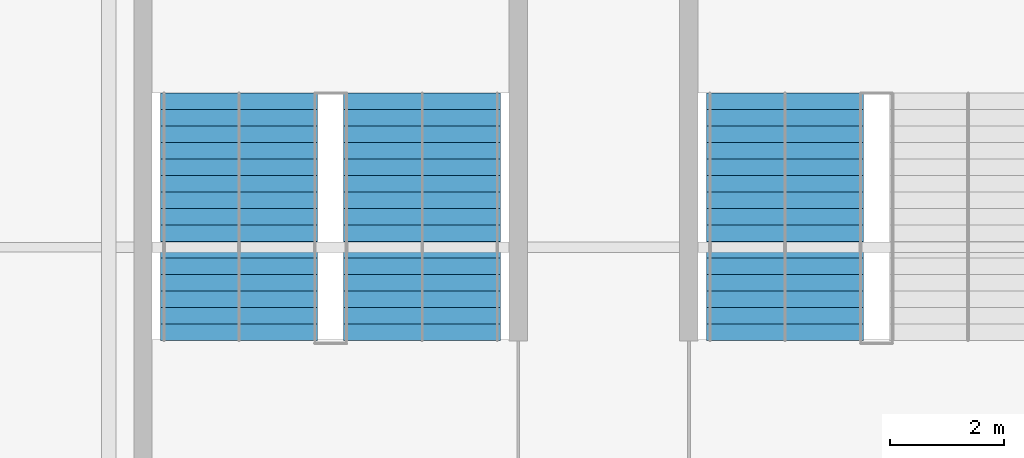
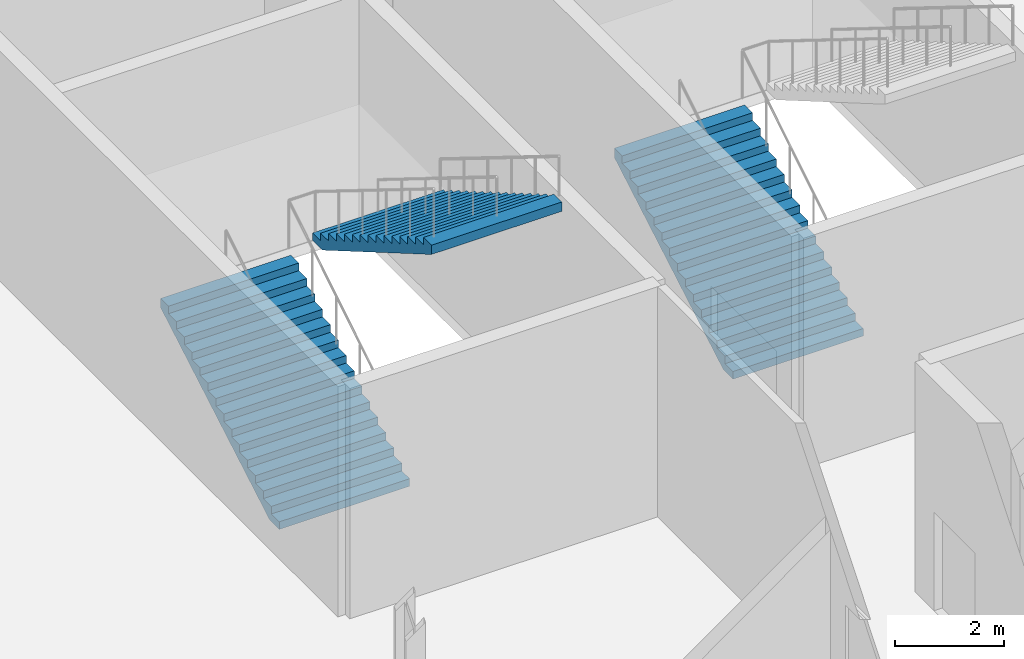
# One storey, part 90 of 113: 3 stair flights, 2 elements without a shape of their own.
"""IFC4 building model written with IfcOpenShell, lengths in metres."""

from ifc_helpers import new_model, si_unit, direction, frame, origin, place, context, subcontext, project, spatial, polygons, material, type_object, element, aggregate, save


model = new_model("IFC4")

# Units and contexts
model_context = context("Model", 3, precision=1e-05, world=origin(), true_north=direction((0.0, 1.0)))
body_context = subcontext(model_context, "Body", "Model", "MODEL_VIEW")
ifc_project = project(units=[si_unit("LENGTHUNIT", "METRE"), si_unit("AREAUNIT", "SQUARE_METRE"), si_unit("VOLUMEUNIT", "CUBIC_METRE"), si_unit("PLANEANGLEUNIT", "RADIAN"), si_unit("MASSUNIT", "GRAM", prefix="KILO")], contexts=[model_context])

# Site, building, storey
site_placement = place(None, origin())
site = spatial("IfcSite", under=ifc_project, at=site_placement, CompositionType="ELEMENT")
building_placement = place(site_placement, origin())
building = spatial("IfcBuilding", under=site, at=building_placement, Name="Kisiwana Market Hall", CompositionType="ELEMENT")
storey_placement = place(building_placement, frame((0.0, 0.0, 6.0)))
storey = spatial("IfcBuildingStorey", under=building, at=storey_placement, Name="L01", CompositionType="ELEMENT", Elevation=6.0)

# Stair, stair flight
ifc_material_1 = material(Name="Concrete C32/40", Category="concrete")
stair_type = type_object("IfcStairType", Name="ST-ESC-5400", PredefinedType="TWO_STRAIGHT_RUN_STAIR", material=ifc_material_1)
stair_1_placement = place(storey_placement, origin())
stair_1 = element("IfcStair", 1, at=stair_1_placement, inside=storey, type_object=stair_type, Name="Escape stair ST-E3-L01", PredefinedType="TWO_STRAIGHT_RUN_STAIR")
ifc_material_2 = material(Name="Concrete C32/40", Category="concrete")
stair_flight_type = type_object("IfcStairFlightType", Name="SF-ESC-5400", PredefinedType="STRAIGHT", material=ifc_material_2)
stair_flight_1_placement = place(storey_placement, frame((182.889892578125, 42.360107421875, 0.0), z_axis=(0.0, 0.0, 1.0), x_axis=(0.0, 1.0, 0.0)))
stair_flight_1 = element("IfcStairFlight", 2, at=stair_flight_1_placement, type_object=stair_flight_type, Name="ST-E3-L01 flight 1", NumberOfRisers=16, NumberOfTreads=15, PredefinedType="STRAIGHT", RiserHeight=0.16875, TreadLength=0.29, context=body_context, shape_type="Tessellation", body=[
    polygons([(0.0, -1.380127, 0.0), (0.0, -0.690125, 0.0), (0.0, -0.000122, 0.0), (0.0, 0.68988, 0.0), (0.0, 1.379883, 0.0), (0.0, -1.380127, 0.168701), (0.0, -0.690125, 0.168701), (0.0, -0.000122, 0.168701), (0.0, 0.68988, 0.168701), (0.0, 1.379883, 0.168701), (0.290039, -1.380127, 0.168701), (0.290039, -0.690125, 0.168701), (0.290039, -0.000122, 0.168701), (0.290039, 0.68988, 0.168701), (0.290039, 1.379883, 0.168701), (0.290039, -1.380127, 0.337402), (0.290039, -0.690125, 0.337402), (0.290039, -0.000122, 0.337402), (0.290039, 0.68988, 0.337402), (0.290039, 1.379883, 0.337402), (0.580078, -1.380127, 0.337402), (0.580078, -0.690125, 0.337402), (0.580078, -0.000122, 0.337402), (0.580078, 0.68988, 0.337402), (0.580078, 1.379883, 0.337402), (0.580078, -1.380127, 0.506348), (0.580078, -0.690125, 0.506348), (0.580078, -0.000122, 0.506348), (0.580078, 0.68988, 0.506348), (0.580078, 1.379883, 0.506348), (0.870117, -1.380127, 0.506348), (0.870117, -0.690125, 0.506348), (0.870117, -0.000122, 0.506348), (0.870117, 0.68988, 0.506348), (0.870117, 1.379883, 0.506348), (0.870117, -1.380127, 0.675049), (0.870117, -0.690125, 0.675049), (0.870117, -0.000122, 0.675049), (0.870117, 0.68988, 0.675049), (0.870117, 1.379883, 0.675049), (1.159912, -1.380127, 0.675049), (1.159912, -0.690125, 0.675049), (1.159912, -0.000122, 0.675049), (1.159912, 0.68988, 0.675049), (1.159912, 1.379883, 0.675049), (1.159912, -1.380127, 0.84375), (1.159912, -0.690125, 0.84375), (1.159912, -0.000122, 0.84375), (1.159912, 0.68988, 0.84375), (1.159912, 1.379883, 0.84375), (1.449951, -1.380127, 0.84375), (1.449951, -0.690125, 0.84375), (1.449951, -0.000122, 0.84375), (1.449951, 0.68988, 0.84375), (1.449951, 1.379883, 0.84375), (1.449951, -1.380127, 1.012451), (1.449951, -0.690125, 1.012451), (1.449951, -0.000122, 1.012451), (1.449951, 0.68988, 1.012451), (1.449951, 1.379883, 1.012451), (1.73999, -1.380127, 1.012451), (1.73999, -0.690125, 1.012451), (1.73999, -0.000122, 1.012451), (1.73999, 0.68988, 1.012451), (1.73999, 1.379883, 1.012451), (1.73999, -1.380127, 1.181152), (1.73999, -0.690125, 1.181152), (1.73999, -0.000122, 1.181152), (1.73999, 0.68988, 1.181152), (1.73999, 1.379883, 1.181152), (2.030029, -1.380127, 1.181152), (2.030029, -0.690125, 1.181152), (2.030029, -0.000122, 1.181152), (2.030029, 0.68988, 1.181152), (2.030029, 1.379883, 1.181152), (2.030029, -1.380127, 1.350098), (2.030029, -0.690125, 1.350098), (2.030029, -0.000122, 1.350098), (2.030029, 0.68988, 1.350098), (2.030029, 1.379883, 1.350098), (2.320068, -1.380127, 1.350098), (2.320068, -0.690125, 1.350098), (2.320068, -0.000122, 1.350098), (2.320068, 0.68988, 1.350098), (2.320068, 1.379883, 1.350098), (2.320068, -1.380127, 1.518799), (2.320068, -0.690125, 1.518799), (2.320068, -0.000122, 1.518799), (2.320068, 0.68988, 1.518799), (2.320068, 1.379883, 1.518799), (2.610107, -1.380127, 1.518799), (2.610107, -0.690125, 1.518799), (2.610107, -0.000122, 1.518799), (2.610107, 0.68988, 1.518799), (2.610107, 1.379883, 1.518799), (2.610107, -1.380127, 1.6875), (2.610107, -0.690125, 1.6875), (2.610107, -0.000122, 1.6875), (2.610107, 0.68988, 1.6875), (2.610107, 1.379883, 1.6875), (2.899902, -1.380127, 1.6875), (2.899902, -0.690125, 1.6875), (2.899902, -0.000122, 1.6875), (2.899902, 0.68988, 1.6875), (2.899902, 1.379883, 1.6875), (2.899902, -1.380127, 1.856201), (2.899902, -0.690125, 1.856201), (2.899902, -0.000122, 1.856201), (2.899902, 0.68988, 1.856201), (2.899902, 1.379883, 1.856201), (3.189941, -1.380127, 1.856201), (3.189941, -0.690125, 1.856201), (3.189941, -0.000122, 1.856201), (3.189941, 0.68988, 1.856201), (3.189941, 1.379883, 1.856201), (3.189941, -1.380127, 2.024902), (3.189941, -0.690125, 2.024902), (3.189941, -0.000122, 2.024902), (3.189941, 0.68988, 2.024902), (3.189941, 1.379883, 2.024902), (3.47998, -1.380127, 2.024902), (3.47998, -0.690125, 2.024902), (3.47998, -0.000122, 2.024902), (3.47998, 0.68988, 2.024902), (3.47998, 1.379883, 2.024902), (3.47998, -1.380127, 2.193848), (3.47998, -0.690125, 2.193848), (3.47998, -0.000122, 2.193848), (3.47998, 0.68988, 2.193848), (3.47998, 1.379883, 2.193848), (3.77002, -1.380127, 2.193848), (3.77002, -0.690125, 2.193848), (3.77002, -0.000122, 2.193848), (3.77002, 0.68988, 2.193848), (3.77002, 1.379883, 2.193848), (3.77002, -1.380127, 2.362549), (3.77002, -0.690125, 2.362549), (3.77002, -0.000122, 2.362549), (3.77002, 0.68988, 2.362549), (3.77002, 1.379883, 2.362549), (4.060059, -1.380127, 2.362549), (4.060059, -0.690125, 2.362549), (4.060059, -0.000122, 2.362549), (4.060059, 0.68988, 2.362549), (4.060059, 1.379883, 2.362549), (4.060059, -1.380127, 2.53125), (4.060059, -0.690125, 2.53125), (4.060059, -0.000122, 2.53125), (4.060059, 0.68988, 2.53125), (4.060059, 1.379883, 2.53125), (4.350098, -1.380127, 2.53125), (4.350098, -0.690125, 2.53125), (4.350098, -0.000122, 2.53125), (4.350098, 0.68988, 2.53125), (4.350098, 1.379883, 2.53125), (4.350098, -1.380127, 2.322998), (4.350098, -0.690125, 2.322998), (4.350098, -0.000122, 2.322998), (4.350098, 0.68988, 2.322998), (4.350098, 1.379883, 2.322998), (0.357666, -1.380127, 0.0), (0.357666, -0.690125, 0.0), (0.357666, -0.000122, 0.0), (0.357666, 0.68988, 0.0), (0.357666, 1.379883, 0.0)], [[[1, 6, 7, 2]], [[2, 7, 8, 3]], [[3, 8, 9, 4]], [[4, 9, 10, 5]], [[6, 11, 12, 7]], [[7, 12, 13, 8]], [[8, 13, 14, 9]], [[9, 14, 15, 10]], [[11, 16, 17, 12]], [[12, 17, 18, 13]], [[13, 18, 19, 14]], [[14, 19, 20, 15]], [[16, 21, 22, 17]], [[17, 22, 23, 18]], [[18, 23, 24, 19]], [[19, 24, 25, 20]], [[21, 26, 27, 22]], [[22, 27, 28, 23]], [[23, 28, 29, 24]], [[24, 29, 30, 25]], [[26, 31, 32, 27]], [[27, 32, 33, 28]], [[28, 33, 34, 29]], [[29, 34, 35, 30]], [[31, 36, 37, 32]], [[32, 37, 38, 33]], [[33, 38, 39, 34]], [[34, 39, 40, 35]], [[36, 41, 42, 37]], [[37, 42, 43, 38]], [[38, 43, 44, 39]], [[39, 44, 45, 40]], [[41, 46, 47, 42]], [[42, 47, 48, 43]], [[43, 48, 49, 44]], [[44, 49, 50, 45]], [[46, 51, 52, 47]], [[47, 52, 53, 48]], [[48, 53, 54, 49]], [[49, 54, 55, 50]], [[51, 56, 57, 52]], [[52, 57, 58, 53]], [[53, 58, 59, 54]], [[54, 59, 60, 55]], [[56, 61, 62, 57]], [[57, 62, 63, 58]], [[58, 63, 64, 59]], [[59, 64, 65, 60]], [[61, 66, 67, 62]], [[62, 67, 68, 63]], [[63, 68, 69, 64]], [[64, 69, 70, 65]], [[66, 71, 72, 67]], [[67, 72, 73, 68]], [[68, 73, 74, 69]], [[69, 74, 75, 70]], [[71, 76, 77, 72]], [[72, 77, 78, 73]], [[73, 78, 79, 74]], [[74, 79, 80, 75]], [[76, 81, 82, 77]], [[77, 82, 83, 78]], [[78, 83, 84, 79]], [[79, 84, 85, 80]], [[81, 86, 87, 82]], [[82, 87, 88, 83]], [[83, 88, 89, 84]], [[84, 89, 90, 85]], [[86, 91, 92, 87]], [[87, 92, 93, 88]], [[88, 93, 94, 89]], [[89, 94, 95, 90]], [[91, 96, 97, 92]], [[92, 97, 98, 93]], [[93, 98, 99, 94]], [[94, 99, 100, 95]], [[96, 101, 102, 97]], [[97, 102, 103, 98]], [[98, 103, 104, 99]], [[99, 104, 105, 100]], [[101, 106, 107, 102]], [[102, 107, 108, 103]], [[103, 108, 109, 104]], [[104, 109, 110, 105]], [[106, 111, 112, 107]], [[107, 112, 113, 108]], [[108, 113, 114, 109]], [[109, 114, 115, 110]], [[111, 116, 117, 112]], [[112, 117, 118, 113]], [[113, 118, 119, 114]], [[114, 119, 120, 115]], [[116, 121, 122, 117]], [[117, 122, 123, 118]], [[118, 123, 124, 119]], [[119, 124, 125, 120]], [[121, 126, 127, 122]], [[122, 127, 128, 123]], [[123, 128, 129, 124]], [[124, 129, 130, 125]], [[126, 131, 132, 127]], [[127, 132, 133, 128]], [[128, 133, 134, 129]], [[129, 134, 135, 130]], [[131, 136, 137, 132]], [[132, 137, 138, 133]], [[133, 138, 139, 134]], [[134, 139, 140, 135]], [[136, 141, 142, 137]], [[137, 142, 143, 138]], [[138, 143, 144, 139]], [[139, 144, 145, 140]], [[141, 146, 147, 142]], [[142, 147, 148, 143]], [[143, 148, 149, 144]], [[144, 149, 150, 145]], [[146, 151, 152, 147]], [[147, 152, 153, 148]], [[148, 153, 154, 149]], [[149, 154, 155, 150]], [[151, 156, 157, 152]], [[152, 157, 158, 153]], [[153, 158, 159, 154]], [[154, 159, 160, 155]], [[156, 161, 162, 157]], [[157, 162, 163, 158]], [[158, 163, 164, 159]], [[159, 164, 165, 160]], [[161, 1, 2, 162]], [[162, 2, 3, 163]], [[163, 3, 4, 164]], [[164, 4, 5, 165]], [[161, 156, 151, 146, 141, 136, 131, 126, 121, 116, 111, 106, 101, 96, 91, 86, 81, 76, 71, 66, 61, 56, 51, 46, 41, 36, 31, 26, 21, 16, 11, 6, 1]], [[5, 10, 15, 20, 25, 30, 35, 40, 45, 50, 55, 60, 65, 70, 75, 80, 85, 90, 95, 100, 105, 110, 115, 120, 125, 130, 135, 140, 145, 150, 155, 160, 165]]], closed=True),
])
aggregate(stair_1, [stair_flight_1])

# Stair, stair flights
stair_2_placement = place(storey_placement, origin())
stair_2 = element("IfcStair", 3, at=stair_2_placement, inside=storey, type_object=stair_type, Name="Escape stair ST-E7-L01", PredefinedType="TWO_STRAIGHT_RUN_STAIR")
stair_flight_2_placement = place(storey_placement, frame((173.2900390625, 42.360107421875, 0.0), z_axis=(0.0, 0.0, 1.0), x_axis=(0.0, 1.0, 0.0)))
stair_flight_2 = element("IfcStairFlight", 4, at=stair_flight_2_placement, type_object=stair_flight_type, Name="ST-E7-L01 flight 1", NumberOfRisers=16, NumberOfTreads=15, PredefinedType="STRAIGHT", RiserHeight=0.16875, TreadLength=0.29, context=body_context, shape_type="Tessellation", body=[
    polygons([(0.0, -1.380127, 0.0), (0.0, -0.690125, 0.0), (0.0, -0.000122, 0.0), (0.0, 0.68988, 0.0), (0.0, 1.379883, 0.0), (0.0, -1.380127, 0.168701), (0.0, -0.690125, 0.168701), (0.0, -0.000122, 0.168701), (0.0, 0.68988, 0.168701), (0.0, 1.379883, 0.168701), (0.290039, -1.380127, 0.168701), (0.290039, -0.690125, 0.168701), (0.290039, -0.000122, 0.168701), (0.290039, 0.68988, 0.168701), (0.290039, 1.379883, 0.168701), (0.290039, -1.380127, 0.337402), (0.290039, -0.690125, 0.337402), (0.290039, -0.000122, 0.337402), (0.290039, 0.68988, 0.337402), (0.290039, 1.379883, 0.337402), (0.580078, -1.380127, 0.337402), (0.580078, -0.690125, 0.337402), (0.580078, -0.000122, 0.337402), (0.580078, 0.68988, 0.337402), (0.580078, 1.379883, 0.337402), (0.580078, -1.380127, 0.506348), (0.580078, -0.690125, 0.506348), (0.580078, -0.000122, 0.506348), (0.580078, 0.68988, 0.506348), (0.580078, 1.379883, 0.506348), (0.870117, -1.380127, 0.506348), (0.870117, -0.690125, 0.506348), (0.870117, -0.000122, 0.506348), (0.870117, 0.68988, 0.506348), (0.870117, 1.379883, 0.506348), (0.870117, -1.380127, 0.675049), (0.870117, -0.690125, 0.675049), (0.870117, -0.000122, 0.675049), (0.870117, 0.68988, 0.675049), (0.870117, 1.379883, 0.675049), (1.159912, -1.380127, 0.675049), (1.159912, -0.690125, 0.675049), (1.159912, -0.000122, 0.675049), (1.159912, 0.68988, 0.675049), (1.159912, 1.379883, 0.675049), (1.159912, -1.380127, 0.84375), (1.159912, -0.690125, 0.84375), (1.159912, -0.000122, 0.84375), (1.159912, 0.68988, 0.84375), (1.159912, 1.379883, 0.84375), (1.449951, -1.380127, 0.84375), (1.449951, -0.690125, 0.84375), (1.449951, -0.000122, 0.84375), (1.449951, 0.68988, 0.84375), (1.449951, 1.379883, 0.84375), (1.449951, -1.380127, 1.012451), (1.449951, -0.690125, 1.012451), (1.449951, -0.000122, 1.012451), (1.449951, 0.68988, 1.012451), (1.449951, 1.379883, 1.012451), (1.73999, -1.380127, 1.012451), (1.73999, -0.690125, 1.012451), (1.73999, -0.000122, 1.012451), (1.73999, 0.68988, 1.012451), (1.73999, 1.379883, 1.012451), (1.73999, -1.380127, 1.181152), (1.73999, -0.690125, 1.181152), (1.73999, -0.000122, 1.181152), (1.73999, 0.68988, 1.181152), (1.73999, 1.379883, 1.181152), (2.030029, -1.380127, 1.181152), (2.030029, -0.690125, 1.181152), (2.030029, -0.000122, 1.181152), (2.030029, 0.68988, 1.181152), (2.030029, 1.379883, 1.181152), (2.030029, -1.380127, 1.350098), (2.030029, -0.690125, 1.350098), (2.030029, -0.000122, 1.350098), (2.030029, 0.68988, 1.350098), (2.030029, 1.379883, 1.350098), (2.320068, -1.380127, 1.350098), (2.320068, -0.690125, 1.350098), (2.320068, -0.000122, 1.350098), (2.320068, 0.68988, 1.350098), (2.320068, 1.379883, 1.350098), (2.320068, -1.380127, 1.518799), (2.320068, -0.690125, 1.518799), (2.320068, -0.000122, 1.518799), (2.320068, 0.68988, 1.518799), (2.320068, 1.379883, 1.518799), (2.610107, -1.380127, 1.518799), (2.610107, -0.690125, 1.518799), (2.610107, -0.000122, 1.518799), (2.610107, 0.68988, 1.518799), (2.610107, 1.379883, 1.518799), (2.610107, -1.380127, 1.6875), (2.610107, -0.690125, 1.6875), (2.610107, -0.000122, 1.6875), (2.610107, 0.68988, 1.6875), (2.610107, 1.379883, 1.6875), (2.899902, -1.380127, 1.6875), (2.899902, -0.690125, 1.6875), (2.899902, -0.000122, 1.6875), (2.899902, 0.68988, 1.6875), (2.899902, 1.379883, 1.6875), (2.899902, -1.380127, 1.856201), (2.899902, -0.690125, 1.856201), (2.899902, -0.000122, 1.856201), (2.899902, 0.68988, 1.856201), (2.899902, 1.379883, 1.856201), (3.189941, -1.380127, 1.856201), (3.189941, -0.690125, 1.856201), (3.189941, -0.000122, 1.856201), (3.189941, 0.68988, 1.856201), (3.189941, 1.379883, 1.856201), (3.189941, -1.380127, 2.024902), (3.189941, -0.690125, 2.024902), (3.189941, -0.000122, 2.024902), (3.189941, 0.68988, 2.024902), (3.189941, 1.379883, 2.024902), (3.47998, -1.380127, 2.024902), (3.47998, -0.690125, 2.024902), (3.47998, -0.000122, 2.024902), (3.47998, 0.68988, 2.024902), (3.47998, 1.379883, 2.024902), (3.47998, -1.380127, 2.193848), (3.47998, -0.690125, 2.193848), (3.47998, -0.000122, 2.193848), (3.47998, 0.68988, 2.193848), (3.47998, 1.379883, 2.193848), (3.77002, -1.380127, 2.193848), (3.77002, -0.690125, 2.193848), (3.77002, -0.000122, 2.193848), (3.77002, 0.68988, 2.193848), (3.77002, 1.379883, 2.193848), (3.77002, -1.380127, 2.362549), (3.77002, -0.690125, 2.362549), (3.77002, -0.000122, 2.362549), (3.77002, 0.68988, 2.362549), (3.77002, 1.379883, 2.362549), (4.060059, -1.380127, 2.362549), (4.060059, -0.690125, 2.362549), (4.060059, -0.000122, 2.362549), (4.060059, 0.68988, 2.362549), (4.060059, 1.379883, 2.362549), (4.060059, -1.380127, 2.53125), (4.060059, -0.690125, 2.53125), (4.060059, -0.000122, 2.53125), (4.060059, 0.68988, 2.53125), (4.060059, 1.379883, 2.53125), (4.350098, -1.380127, 2.53125), (4.350098, -0.690125, 2.53125), (4.350098, -0.000122, 2.53125), (4.350098, 0.68988, 2.53125), (4.350098, 1.379883, 2.53125), (4.350098, -1.380127, 2.322998), (4.350098, -0.690125, 2.322998), (4.350098, -0.000122, 2.322998), (4.350098, 0.68988, 2.322998), (4.350098, 1.379883, 2.322998), (0.357666, -1.380127, 0.0), (0.357666, -0.690125, 0.0), (0.357666, -0.000122, 0.0), (0.357666, 0.68988, 0.0), (0.357666, 1.379883, 0.0)], [[[1, 6, 7, 2]], [[2, 7, 8, 3]], [[3, 8, 9, 4]], [[4, 9, 10, 5]], [[6, 11, 12, 7]], [[7, 12, 13, 8]], [[8, 13, 14, 9]], [[9, 14, 15, 10]], [[11, 16, 17, 12]], [[12, 17, 18, 13]], [[13, 18, 19, 14]], [[14, 19, 20, 15]], [[16, 21, 22, 17]], [[17, 22, 23, 18]], [[18, 23, 24, 19]], [[19, 24, 25, 20]], [[21, 26, 27, 22]], [[22, 27, 28, 23]], [[23, 28, 29, 24]], [[24, 29, 30, 25]], [[26, 31, 32, 27]], [[27, 32, 33, 28]], [[28, 33, 34, 29]], [[29, 34, 35, 30]], [[31, 36, 37, 32]], [[32, 37, 38, 33]], [[33, 38, 39, 34]], [[34, 39, 40, 35]], [[36, 41, 42, 37]], [[37, 42, 43, 38]], [[38, 43, 44, 39]], [[39, 44, 45, 40]], [[41, 46, 47, 42]], [[42, 47, 48, 43]], [[43, 48, 49, 44]], [[44, 49, 50, 45]], [[46, 51, 52, 47]], [[47, 52, 53, 48]], [[48, 53, 54, 49]], [[49, 54, 55, 50]], [[51, 56, 57, 52]], [[52, 57, 58, 53]], [[53, 58, 59, 54]], [[54, 59, 60, 55]], [[56, 61, 62, 57]], [[57, 62, 63, 58]], [[58, 63, 64, 59]], [[59, 64, 65, 60]], [[61, 66, 67, 62]], [[62, 67, 68, 63]], [[63, 68, 69, 64]], [[64, 69, 70, 65]], [[66, 71, 72, 67]], [[67, 72, 73, 68]], [[68, 73, 74, 69]], [[69, 74, 75, 70]], [[71, 76, 77, 72]], [[72, 77, 78, 73]], [[73, 78, 79, 74]], [[74, 79, 80, 75]], [[76, 81, 82, 77]], [[77, 82, 83, 78]], [[78, 83, 84, 79]], [[79, 84, 85, 80]], [[81, 86, 87, 82]], [[82, 87, 88, 83]], [[83, 88, 89, 84]], [[84, 89, 90, 85]], [[86, 91, 92, 87]], [[87, 92, 93, 88]], [[88, 93, 94, 89]], [[89, 94, 95, 90]], [[91, 96, 97, 92]], [[92, 97, 98, 93]], [[93, 98, 99, 94]], [[94, 99, 100, 95]], [[96, 101, 102, 97]], [[97, 102, 103, 98]], [[98, 103, 104, 99]], [[99, 104, 105, 100]], [[101, 106, 107, 102]], [[102, 107, 108, 103]], [[103, 108, 109, 104]], [[104, 109, 110, 105]], [[106, 111, 112, 107]], [[107, 112, 113, 108]], [[108, 113, 114, 109]], [[109, 114, 115, 110]], [[111, 116, 117, 112]], [[112, 117, 118, 113]], [[113, 118, 119, 114]], [[114, 119, 120, 115]], [[116, 121, 122, 117]], [[117, 122, 123, 118]], [[118, 123, 124, 119]], [[119, 124, 125, 120]], [[121, 126, 127, 122]], [[122, 127, 128, 123]], [[123, 128, 129, 124]], [[124, 129, 130, 125]], [[126, 131, 132, 127]], [[127, 132, 133, 128]], [[128, 133, 134, 129]], [[129, 134, 135, 130]], [[131, 136, 137, 132]], [[132, 137, 138, 133]], [[133, 138, 139, 134]], [[134, 139, 140, 135]], [[136, 141, 142, 137]], [[137, 142, 143, 138]], [[138, 143, 144, 139]], [[139, 144, 145, 140]], [[141, 146, 147, 142]], [[142, 147, 148, 143]], [[143, 148, 149, 144]], [[144, 149, 150, 145]], [[146, 151, 152, 147]], [[147, 152, 153, 148]], [[148, 153, 154, 149]], [[149, 154, 155, 150]], [[151, 156, 157, 152]], [[152, 157, 158, 153]], [[153, 158, 159, 154]], [[154, 159, 160, 155]], [[156, 161, 162, 157]], [[157, 162, 163, 158]], [[158, 163, 164, 159]], [[159, 164, 165, 160]], [[161, 1, 2, 162]], [[162, 2, 3, 163]], [[163, 3, 4, 164]], [[164, 4, 5, 165]], [[161, 156, 151, 146, 141, 136, 131, 126, 121, 116, 111, 106, 101, 96, 91, 86, 81, 76, 71, 66, 61, 56, 51, 46, 41, 36, 31, 26, 21, 16, 11, 6, 1]], [[5, 10, 15, 20, 25, 30, 35, 40, 45, 50, 55, 60, 65, 70, 75, 80, 85, 90, 95, 100, 105, 110, 115, 120, 125, 130, 135, 140, 145, 150, 155, 160, 165]]], closed=True),
])
stair_flight_3_placement = place(storey_placement, frame((176.510009765625, 46.7099609375, 2.699951171875), z_axis=(0.0, 0.0, 1.0), x_axis=(0.0, -1.0, 0.0)))
stair_flight_3 = element("IfcStairFlight", 5, at=stair_flight_3_placement, type_object=stair_flight_type, Name="ST-E7-L01 flight 2", NumberOfRisers=16, NumberOfTreads=15, PredefinedType="STRAIGHT", RiserHeight=0.16875, TreadLength=0.29, context=body_context, shape_type="Tessellation", body=[
    polygons([(0.0, -1.380127, 0.0), (0.0, -0.690125, 0.0), (0.0, -0.000122, 0.0), (0.0, 0.68988, 0.0), (0.0, 1.379883, 0.0), (0.0, -1.380127, 0.168701), (0.0, -0.690125, 0.168701), (0.0, -0.000122, 0.168701), (0.0, 0.68988, 0.168701), (0.0, 1.379883, 0.168701), (0.290039, -1.380127, 0.168701), (0.290039, -0.690125, 0.168701), (0.290039, -0.000122, 0.168701), (0.290039, 0.68988, 0.168701), (0.290039, 1.379883, 0.168701), (0.290039, -1.380127, 0.337402), (0.290039, -0.690125, 0.337402), (0.290039, -0.000122, 0.337402), (0.290039, 0.68988, 0.337402), (0.290039, 1.379883, 0.337402), (0.580078, -1.380127, 0.337402), (0.580078, -0.690125, 0.337402), (0.580078, -0.000122, 0.337402), (0.580078, 0.68988, 0.337402), (0.580078, 1.379883, 0.337402), (0.580078, -1.380127, 0.506348), (0.580078, -0.690125, 0.506348), (0.580078, -0.000122, 0.506348), (0.580078, 0.68988, 0.506348), (0.580078, 1.379883, 0.506348), (0.870117, -1.380127, 0.506348), (0.870117, -0.690125, 0.506348), (0.870117, -0.000122, 0.506348), (0.870117, 0.68988, 0.506348), (0.870117, 1.379883, 0.506348), (0.870117, -1.380127, 0.675049), (0.870117, -0.690125, 0.675049), (0.870117, -0.000122, 0.675049), (0.870117, 0.68988, 0.675049), (0.870117, 1.379883, 0.675049), (1.159912, -1.380127, 0.675049), (1.159912, -0.690125, 0.675049), (1.159912, -0.000122, 0.675049), (1.159912, 0.68988, 0.675049), (1.159912, 1.379883, 0.675049), (1.159912, -1.380127, 0.84375), (1.159912, -0.690125, 0.84375), (1.159912, -0.000122, 0.84375), (1.159912, 0.68988, 0.84375), (1.159912, 1.379883, 0.84375), (1.449951, -1.380127, 0.84375), (1.449951, -0.690125, 0.84375), (1.449951, -0.000122, 0.84375), (1.449951, 0.68988, 0.84375), (1.449951, 1.379883, 0.84375), (1.449951, -1.380127, 1.012451), (1.449951, -0.690125, 1.012451), (1.449951, -0.000122, 1.012451), (1.449951, 0.68988, 1.012451), (1.449951, 1.379883, 1.012451), (1.73999, -1.380127, 1.012451), (1.73999, -0.690125, 1.012451), (1.73999, -0.000122, 1.012451), (1.73999, 0.68988, 1.012451), (1.73999, 1.379883, 1.012451), (1.73999, -1.380127, 1.181152), (1.73999, -0.690125, 1.181152), (1.73999, -0.000122, 1.181152), (1.73999, 0.68988, 1.181152), (1.73999, 1.379883, 1.181152), (2.030029, -1.380127, 1.181152), (2.030029, -0.690125, 1.181152), (2.030029, -0.000122, 1.181152), (2.030029, 0.68988, 1.181152), (2.030029, 1.379883, 1.181152), (2.030029, -1.380127, 1.350098), (2.030029, -0.690125, 1.350098), (2.030029, -0.000122, 1.350098), (2.030029, 0.68988, 1.350098), (2.030029, 1.379883, 1.350098), (2.320068, -1.380127, 1.350098), (2.320068, -0.690125, 1.350098), (2.320068, -0.000122, 1.350098), (2.320068, 0.68988, 1.350098), (2.320068, 1.379883, 1.350098), (2.320068, -1.380127, 1.518799), (2.320068, -0.690125, 1.518799), (2.320068, -0.000122, 1.518799), (2.320068, 0.68988, 1.518799), (2.320068, 1.379883, 1.518799), (2.610107, -1.380127, 1.518799), (2.610107, -0.690125, 1.518799), (2.610107, -0.000122, 1.518799), (2.610107, 0.68988, 1.518799), (2.610107, 1.379883, 1.518799), (2.610107, -1.380127, 1.6875), (2.610107, -0.690125, 1.6875), (2.610107, -0.000122, 1.6875), (2.610107, 0.68988, 1.6875), (2.610107, 1.379883, 1.6875), (2.899902, -1.380127, 1.6875), (2.899902, -0.690125, 1.6875), (2.899902, -0.000122, 1.6875), (2.899902, 0.68988, 1.6875), (2.899902, 1.379883, 1.6875), (2.899902, -1.380127, 1.856201), (2.899902, -0.690125, 1.856201), (2.899902, -0.000122, 1.856201), (2.899902, 0.68988, 1.856201), (2.899902, 1.379883, 1.856201), (3.189941, -1.380127, 1.856201), (3.189941, -0.690125, 1.856201), (3.189941, -0.000122, 1.856201), (3.189941, 0.68988, 1.856201), (3.189941, 1.379883, 1.856201), (3.189941, -1.380127, 2.024902), (3.189941, -0.690125, 2.024902), (3.189941, -0.000122, 2.024902), (3.189941, 0.68988, 2.024902), (3.189941, 1.379883, 2.024902), (3.47998, -1.380127, 2.024902), (3.47998, -0.690125, 2.024902), (3.47998, -0.000122, 2.024902), (3.47998, 0.68988, 2.024902), (3.47998, 1.379883, 2.024902), (3.47998, -1.380127, 2.193848), (3.47998, -0.690125, 2.193848), (3.47998, -0.000122, 2.193848), (3.47998, 0.68988, 2.193848), (3.47998, 1.379883, 2.193848), (3.77002, -1.380127, 2.193848), (3.77002, -0.690125, 2.193848), (3.77002, -0.000122, 2.193848), (3.77002, 0.68988, 2.193848), (3.77002, 1.379883, 2.193848), (3.77002, -1.380127, 2.362549), (3.77002, -0.690125, 2.362549), (3.77002, -0.000122, 2.362549), (3.77002, 0.68988, 2.362549), (3.77002, 1.379883, 2.362549), (4.060059, -1.380127, 2.362549), (4.060059, -0.690125, 2.362549), (4.060059, -0.000122, 2.362549), (4.060059, 0.68988, 2.362549), (4.060059, 1.379883, 2.362549), (4.060059, -1.380127, 2.53125), (4.060059, -0.690125, 2.53125), (4.060059, -0.000122, 2.53125), (4.060059, 0.68988, 2.53125), (4.060059, 1.379883, 2.53125), (4.350098, -1.380127, 2.53125), (4.350098, -0.690125, 2.53125), (4.350098, -0.000122, 2.53125), (4.350098, 0.68988, 2.53125), (4.350098, 1.379883, 2.53125), (4.350098, -1.380127, 2.322998), (4.350098, -0.690125, 2.322998), (4.350098, -0.000122, 2.322998), (4.350098, 0.68988, 2.322998), (4.350098, 1.379883, 2.322998), (0.357666, -1.380127, 0.0), (0.357666, -0.690125, 0.0), (0.357666, -0.000122, 0.0), (0.357666, 0.68988, 0.0), (0.357666, 1.379883, 0.0)], [[[1, 6, 7, 2]], [[2, 7, 8, 3]], [[3, 8, 9, 4]], [[4, 9, 10, 5]], [[6, 11, 12, 7]], [[7, 12, 13, 8]], [[8, 13, 14, 9]], [[9, 14, 15, 10]], [[11, 16, 17, 12]], [[12, 17, 18, 13]], [[13, 18, 19, 14]], [[14, 19, 20, 15]], [[16, 21, 22, 17]], [[17, 22, 23, 18]], [[18, 23, 24, 19]], [[19, 24, 25, 20]], [[21, 26, 27, 22]], [[22, 27, 28, 23]], [[23, 28, 29, 24]], [[24, 29, 30, 25]], [[26, 31, 32, 27]], [[27, 32, 33, 28]], [[28, 33, 34, 29]], [[29, 34, 35, 30]], [[31, 36, 37, 32]], [[32, 37, 38, 33]], [[33, 38, 39, 34]], [[34, 39, 40, 35]], [[36, 41, 42, 37]], [[37, 42, 43, 38]], [[38, 43, 44, 39]], [[39, 44, 45, 40]], [[41, 46, 47, 42]], [[42, 47, 48, 43]], [[43, 48, 49, 44]], [[44, 49, 50, 45]], [[46, 51, 52, 47]], [[47, 52, 53, 48]], [[48, 53, 54, 49]], [[49, 54, 55, 50]], [[51, 56, 57, 52]], [[52, 57, 58, 53]], [[53, 58, 59, 54]], [[54, 59, 60, 55]], [[56, 61, 62, 57]], [[57, 62, 63, 58]], [[58, 63, 64, 59]], [[59, 64, 65, 60]], [[61, 66, 67, 62]], [[62, 67, 68, 63]], [[63, 68, 69, 64]], [[64, 69, 70, 65]], [[66, 71, 72, 67]], [[67, 72, 73, 68]], [[68, 73, 74, 69]], [[69, 74, 75, 70]], [[71, 76, 77, 72]], [[72, 77, 78, 73]], [[73, 78, 79, 74]], [[74, 79, 80, 75]], [[76, 81, 82, 77]], [[77, 82, 83, 78]], [[78, 83, 84, 79]], [[79, 84, 85, 80]], [[81, 86, 87, 82]], [[82, 87, 88, 83]], [[83, 88, 89, 84]], [[84, 89, 90, 85]], [[86, 91, 92, 87]], [[87, 92, 93, 88]], [[88, 93, 94, 89]], [[89, 94, 95, 90]], [[91, 96, 97, 92]], [[92, 97, 98, 93]], [[93, 98, 99, 94]], [[94, 99, 100, 95]], [[96, 101, 102, 97]], [[97, 102, 103, 98]], [[98, 103, 104, 99]], [[99, 104, 105, 100]], [[101, 106, 107, 102]], [[102, 107, 108, 103]], [[103, 108, 109, 104]], [[104, 109, 110, 105]], [[106, 111, 112, 107]], [[107, 112, 113, 108]], [[108, 113, 114, 109]], [[109, 114, 115, 110]], [[111, 116, 117, 112]], [[112, 117, 118, 113]], [[113, 118, 119, 114]], [[114, 119, 120, 115]], [[116, 121, 122, 117]], [[117, 122, 123, 118]], [[118, 123, 124, 119]], [[119, 124, 125, 120]], [[121, 126, 127, 122]], [[122, 127, 128, 123]], [[123, 128, 129, 124]], [[124, 129, 130, 125]], [[126, 131, 132, 127]], [[127, 132, 133, 128]], [[128, 133, 134, 129]], [[129, 134, 135, 130]], [[131, 136, 137, 132]], [[132, 137, 138, 133]], [[133, 138, 139, 134]], [[134, 139, 140, 135]], [[136, 141, 142, 137]], [[137, 142, 143, 138]], [[138, 143, 144, 139]], [[139, 144, 145, 140]], [[141, 146, 147, 142]], [[142, 147, 148, 143]], [[143, 148, 149, 144]], [[144, 149, 150, 145]], [[146, 151, 152, 147]], [[147, 152, 153, 148]], [[148, 153, 154, 149]], [[149, 154, 155, 150]], [[151, 156, 157, 152]], [[152, 157, 158, 153]], [[153, 158, 159, 154]], [[154, 159, 160, 155]], [[156, 161, 162, 157]], [[157, 162, 163, 158]], [[158, 163, 164, 159]], [[159, 164, 165, 160]], [[161, 1, 2, 162]], [[162, 2, 3, 163]], [[163, 3, 4, 164]], [[164, 4, 5, 165]], [[161, 156, 151, 146, 141, 136, 131, 126, 121, 116, 111, 106, 101, 96, 91, 86, 81, 76, 71, 66, 61, 56, 51, 46, 41, 36, 31, 26, 21, 16, 11, 6, 1]], [[5, 10, 15, 20, 25, 30, 35, 40, 45, 50, 55, 60, 65, 70, 75, 80, 85, 90, 95, 100, 105, 110, 115, 120, 125, 130, 135, 140, 145, 150, 155, 160, 165]]], closed=True),
])
aggregate(stair_2, [stair_flight_2, stair_flight_3])

save(model, "model.ifc")
